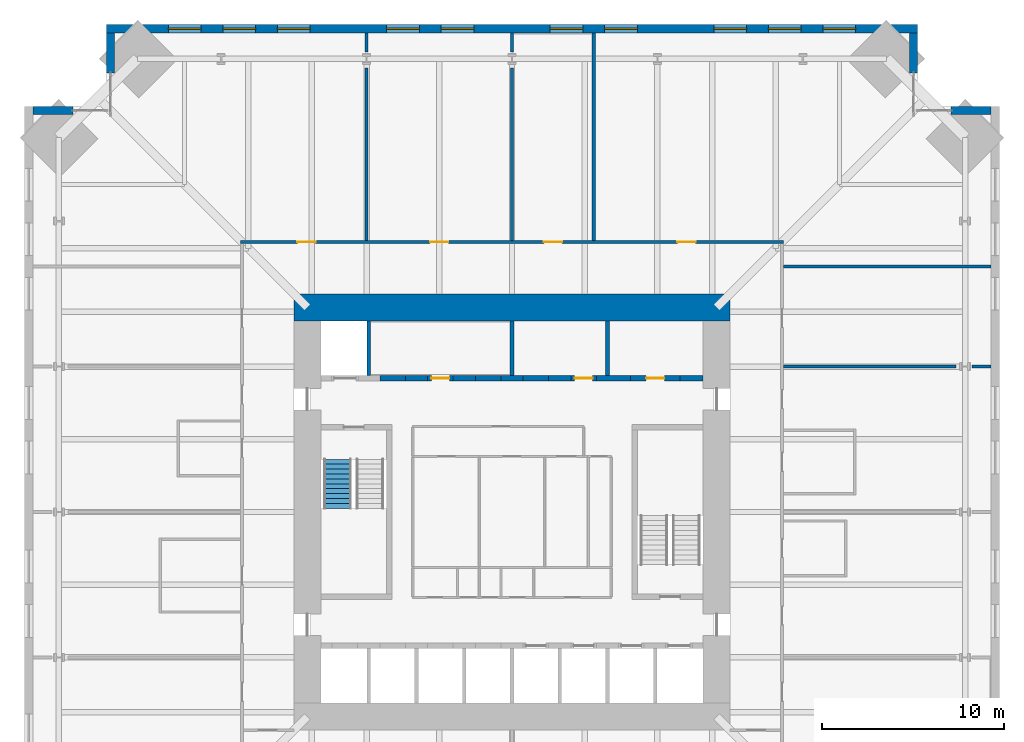
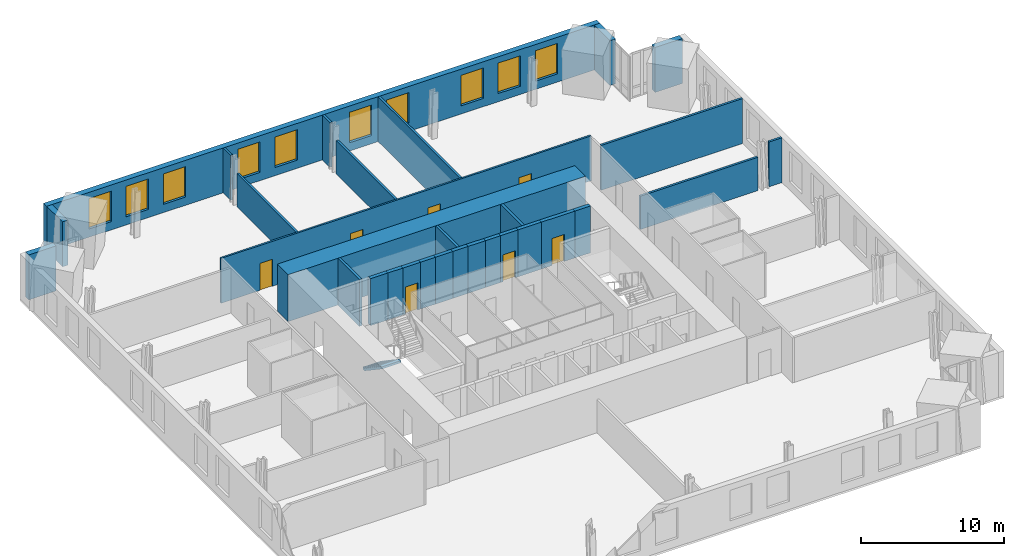
# One storey, part 15 of 17: 30 walls, 10 windows, 7 doors, 1 stair flight, 17 openings, 1 element without a shape of its own.
"""IFC4 building model written with IfcOpenShell, lengths in metres."""

from ifc_helpers import new_model, si_unit, direction, frame, frame_2d, origin, place, context, subcontext, project, spatial, polyline, rectangle, outline, extrude, material, layer, layer_set, type_object, element, fill, aggregate, save


model = new_model("IFC4")

# Units and contexts
model_context = context("Model", 3, precision=1e-05, world=origin(), true_north=direction((0.0, 1.0)))
body_context = subcontext(model_context, "Body", "Model", "MODEL_VIEW")
ifc_project = project(units=[si_unit("LENGTHUNIT", "METRE"), si_unit("AREAUNIT", "SQUARE_METRE"), si_unit("VOLUMEUNIT", "CUBIC_METRE"), si_unit("PLANEANGLEUNIT", "RADIAN"), si_unit("MASSUNIT", "GRAM", prefix="KILO")], contexts=[model_context])

# Site, building, storey
site_placement = place(None, origin())
site = spatial("IfcSite", under=ifc_project, at=site_placement, CompositionType="ELEMENT")
building_placement = place(site_placement, origin())
building = spatial("IfcBuilding", under=site, at=building_placement, Name="Peilmerk Tower", CompositionType="ELEMENT")
storey_placement = place(building_placement, frame((0.0, 0.0, 147.800048828125)))
storey = spatial("IfcBuildingStorey", under=building, at=storey_placement, Name="L30", CompositionType="ELEMENT", Elevation=147.800048828125)

# Wall, openings, windows
ifc_material_1 = material(Name="Precast concrete C45/55, board-marked finish", Category="concrete")
ifc_layer_1 = layer(ifc_material_1, 0.449951171875)
ifc_layer_set_1 = layer_set([ifc_layer_1], Name="Precast concrete C45/55, board-marked finish")
wall_type_1 = type_object("IfcWallType", Name="EW1 450 precast concrete facade wall, board-marked", PredefinedType="SOLIDWALL", material=ifc_layer_set_1)
wall_1_placement = place(storey_placement, frame((22.300048828125, 26.574951171875, 0.0), z_axis=(0.0, 0.0, 1.0), x_axis=(-1.0, 0.0, 0.0)))
wall_1 = element("IfcWall", 1, at=wall_1_placement, inside=storey, type_object=wall_type_1, Name="Facade wall N L30", PredefinedType="SOLIDWALL", context=body_context, shape_type="SweptSolid", body=[
    extrude(rectangle(XDim=44.60009765625, YDim=0.449951171875, at=frame_2d((22.300048828125, 0.0))), origin(), (0.0, 0.0, 1.0), 3.829833984375),
])
opening_1_placement = place(wall_1_placement, frame((3.39990234375, 0.0, 0.699951171875)))
opening_1 = element("IfcOpeningElement", 2, at=opening_1_placement, cuts=wall_1, Name="Opening W1", PredefinedType="OPENING", context=body_context, shape_type="SweptSolid", body=[
    extrude(rectangle(XDim=1.800048828125, YDim=2.60009765625, at=frame_2d((0.89990234375, 1.300048828125))), frame((0.0, 0.23486328125, 0.0), z_axis=(0.0, -1.0, 0.0), x_axis=(1.0, 0.0, 0.0)), (0.0, 0.0, 1.0), 0.469970703125),
])
opening_2_placement = place(wall_1_placement, frame((6.39990234375, 0.0, 0.699951171875)))
opening_2 = element("IfcOpeningElement", 3, at=opening_2_placement, cuts=wall_1, Name="Opening W1", PredefinedType="OPENING", context=body_context, shape_type="SweptSolid", body=[
    extrude(rectangle(XDim=1.800048828125, YDim=2.60009765625, at=frame_2d((0.89990234375, 1.300048828125))), frame((0.0, 0.23486328125, 0.0), z_axis=(0.0, -1.0, 0.0), x_axis=(1.0, 0.0, 0.0)), (0.0, 0.0, 1.0), 0.469970703125),
])
opening_3_placement = place(wall_1_placement, frame((9.39990234375, 0.0, 0.699951171875)))
opening_3 = element("IfcOpeningElement", 4, at=opening_3_placement, cuts=wall_1, Name="Opening W1", PredefinedType="OPENING", context=body_context, shape_type="SweptSolid", body=[
    extrude(rectangle(XDim=1.800048828125, YDim=2.60009765625, at=frame_2d((0.89990234375, 1.300048828125))), frame((0.0, 0.23486328125, 0.0), z_axis=(0.0, -1.0, 0.0), x_axis=(1.0, 0.0, 0.0)), (0.0, 0.0, 1.0), 0.469970703125),
])
opening_4_placement = place(wall_1_placement, frame((15.39990234375, 0.0, 0.699951171875)))
opening_4 = element("IfcOpeningElement", 5, at=opening_4_placement, cuts=wall_1, Name="Opening W1", PredefinedType="OPENING", context=body_context, shape_type="SweptSolid", body=[
    extrude(rectangle(XDim=1.800048828125, YDim=2.60009765625, at=frame_2d((0.89990234375, 1.300048828125))), frame((0.0, 0.23486328125, 0.0), z_axis=(0.0, -1.0, 0.0), x_axis=(1.0, 0.0, 0.0)), (0.0, 0.0, 1.0), 0.469970703125),
])
opening_5_placement = place(wall_1_placement, frame((18.39990234375, 0.0, 0.699951171875)))
opening_5 = element("IfcOpeningElement", 6, at=opening_5_placement, cuts=wall_1, Name="Opening W1", PredefinedType="OPENING", context=body_context, shape_type="SweptSolid", body=[
    extrude(rectangle(XDim=1.800048828125, YDim=2.60009765625, at=frame_2d((0.89990234375, 1.300048828125))), frame((0.0, 0.23486328125, 0.0), z_axis=(0.0, -1.0, 0.0), x_axis=(1.0, 0.0, 0.0)), (0.0, 0.0, 1.0), 0.469970703125),
])
opening_6_placement = place(wall_1_placement, frame((24.39990234375, 0.0, 0.699951171875)))
opening_6 = element("IfcOpeningElement", 7, at=opening_6_placement, cuts=wall_1, Name="Opening W1", PredefinedType="OPENING", context=body_context, shape_type="SweptSolid", body=[
    extrude(rectangle(XDim=1.800048828125, YDim=2.60009765625, at=frame_2d((0.89990234375, 1.300048828125))), frame((0.0, 0.23486328125, 0.0), z_axis=(0.0, -1.0, 0.0), x_axis=(1.0, 0.0, 0.0)), (0.0, 0.0, 1.0), 0.469970703125),
])
opening_7_placement = place(wall_1_placement, frame((27.39990234375, 0.0, 0.699951171875)))
opening_7 = element("IfcOpeningElement", 8, at=opening_7_placement, cuts=wall_1, Name="Opening W1", PredefinedType="OPENING", context=body_context, shape_type="SweptSolid", body=[
    extrude(rectangle(XDim=1.800048828125, YDim=2.60009765625, at=frame_2d((0.89990234375, 1.300048828125))), frame((0.0, 0.23486328125, 0.0), z_axis=(0.0, -1.0, 0.0), x_axis=(1.0, 0.0, 0.0)), (0.0, 0.0, 1.0), 0.469970703125),
])
opening_8_placement = place(wall_1_placement, frame((33.39990234375, 0.0, 0.699951171875)))
opening_8 = element("IfcOpeningElement", 9, at=opening_8_placement, cuts=wall_1, Name="Opening W1", PredefinedType="OPENING", context=body_context, shape_type="SweptSolid", body=[
    extrude(rectangle(XDim=1.800048828125, YDim=2.60009765625, at=frame_2d((0.89990234375, 1.300048828125))), frame((0.0, 0.23486328125, 0.0), z_axis=(0.0, -1.0, 0.0), x_axis=(1.0, 0.0, 0.0)), (0.0, 0.0, 1.0), 0.469970703125),
])
opening_9_placement = place(wall_1_placement, frame((36.39990234375, 0.0, 0.699951171875)))
opening_9 = element("IfcOpeningElement", 10, at=opening_9_placement, cuts=wall_1, Name="Opening W1", PredefinedType="OPENING", context=body_context, shape_type="SweptSolid", body=[
    extrude(rectangle(XDim=1.800048828125, YDim=2.60009765625, at=frame_2d((0.89990234375, 1.300048828125))), frame((0.0, 0.23486328125, 0.0), z_axis=(0.0, -1.0, 0.0), x_axis=(1.0, 0.0, 0.0)), (0.0, 0.0, 1.0), 0.469970703125),
])
opening_10_placement = place(wall_1_placement, frame((39.39990234375, 0.0, 0.699951171875)))
opening_10 = element("IfcOpeningElement", 11, at=opening_10_placement, cuts=wall_1, Name="Opening W1", PredefinedType="OPENING", context=body_context, shape_type="SweptSolid", body=[
    extrude(rectangle(XDim=1.800048828125, YDim=2.60009765625, at=frame_2d((0.89990234375, 1.300048828125))), frame((0.0, 0.23486328125, 0.0), z_axis=(0.0, -1.0, 0.0), x_axis=(1.0, 0.0, 0.0)), (0.0, 0.0, 1.0), 0.469970703125),
])
ifc_material_2 = material(Name="Aluminium frame, clear double glazing", Category="aluminium")
window_type = type_object("IfcWindowType", Name="W1 1800x2600 office window", PartitioningType="SINGLE_PANEL", PredefinedType="WINDOW", material=ifc_material_2)
window_1_placement = place(opening_1_placement, origin())
window_1 = element("IfcWindow", 12, at=window_1_placement, inside=storey, type_object=window_type, Name="Window W1 L30", OverallHeight=2.60009765625, OverallWidth=1.800048828125, PartitioningType="SINGLE_PANEL", PredefinedType="WINDOW", context=body_context, shape_type="SweptSolid", body=[
    extrude(rectangle(XDim=1.800048828125, YDim=2.60009765625, at=frame_2d((0.89990234375, 1.300048828125))), frame((0.0, 0.030029296875, 0.0), z_axis=(0.0, -1.0, 0.0), x_axis=(1.0, 0.0, 0.0)), (0.0, 0.0, 1.0), 0.06005859375),
])
fill(opening_1, window_1)
window_2_placement = place(opening_2_placement, origin())
window_2 = element("IfcWindow", 13, at=window_2_placement, inside=storey, type_object=window_type, Name="Window W1 L30", OverallHeight=2.60009765625, OverallWidth=1.800048828125, PartitioningType="SINGLE_PANEL", PredefinedType="WINDOW", context=body_context, shape_type="SweptSolid", body=[
    extrude(rectangle(XDim=1.800048828125, YDim=2.60009765625, at=frame_2d((0.89990234375, 1.300048828125))), frame((0.0, 0.030029296875, 0.0), z_axis=(0.0, -1.0, 0.0), x_axis=(1.0, 0.0, 0.0)), (0.0, 0.0, 1.0), 0.06005859375),
])
fill(opening_2, window_2)
window_3_placement = place(opening_3_placement, origin())
window_3 = element("IfcWindow", 14, at=window_3_placement, inside=storey, type_object=window_type, Name="Window W1 L30", OverallHeight=2.60009765625, OverallWidth=1.800048828125, PartitioningType="SINGLE_PANEL", PredefinedType="WINDOW", context=body_context, shape_type="SweptSolid", body=[
    extrude(rectangle(XDim=1.800048828125, YDim=2.60009765625, at=frame_2d((0.89990234375, 1.300048828125))), frame((0.0, 0.030029296875, 0.0), z_axis=(0.0, -1.0, 0.0), x_axis=(1.0, 0.0, 0.0)), (0.0, 0.0, 1.0), 0.06005859375),
])
fill(opening_3, window_3)
window_4_placement = place(opening_4_placement, origin())
window_4 = element("IfcWindow", 15, at=window_4_placement, inside=storey, type_object=window_type, Name="Window W1 L30", OverallHeight=2.60009765625, OverallWidth=1.800048828125, PartitioningType="SINGLE_PANEL", PredefinedType="WINDOW", context=body_context, shape_type="SweptSolid", body=[
    extrude(rectangle(XDim=1.800048828125, YDim=2.60009765625, at=frame_2d((0.89990234375, 1.300048828125))), frame((0.0, 0.030029296875, 0.0), z_axis=(0.0, -1.0, 0.0), x_axis=(1.0, 0.0, 0.0)), (0.0, 0.0, 1.0), 0.06005859375),
])
fill(opening_4, window_4)
window_5_placement = place(opening_5_placement, origin())
window_5 = element("IfcWindow", 16, at=window_5_placement, inside=storey, type_object=window_type, Name="Window W1 L30", OverallHeight=2.60009765625, OverallWidth=1.800048828125, PartitioningType="SINGLE_PANEL", PredefinedType="WINDOW", context=body_context, shape_type="SweptSolid", body=[
    extrude(rectangle(XDim=1.800048828125, YDim=2.60009765625, at=frame_2d((0.89990234375, 1.300048828125))), frame((0.0, 0.030029296875, 0.0), z_axis=(0.0, -1.0, 0.0), x_axis=(1.0, 0.0, 0.0)), (0.0, 0.0, 1.0), 0.06005859375),
])
fill(opening_5, window_5)
window_6_placement = place(opening_6_placement, origin())
window_6 = element("IfcWindow", 17, at=window_6_placement, inside=storey, type_object=window_type, Name="Window W1 L30", OverallHeight=2.60009765625, OverallWidth=1.800048828125, PartitioningType="SINGLE_PANEL", PredefinedType="WINDOW", context=body_context, shape_type="SweptSolid", body=[
    extrude(rectangle(XDim=1.800048828125, YDim=2.60009765625, at=frame_2d((0.89990234375, 1.300048828125))), frame((0.0, 0.030029296875, 0.0), z_axis=(0.0, -1.0, 0.0), x_axis=(1.0, 0.0, 0.0)), (0.0, 0.0, 1.0), 0.06005859375),
])
fill(opening_6, window_6)
window_7_placement = place(opening_7_placement, origin())
window_7 = element("IfcWindow", 18, at=window_7_placement, inside=storey, type_object=window_type, Name="Window W1 L30", OverallHeight=2.60009765625, OverallWidth=1.800048828125, PartitioningType="SINGLE_PANEL", PredefinedType="WINDOW", context=body_context, shape_type="SweptSolid", body=[
    extrude(rectangle(XDim=1.800048828125, YDim=2.60009765625, at=frame_2d((0.89990234375, 1.300048828125))), frame((0.0, 0.030029296875, 0.0), z_axis=(0.0, -1.0, 0.0), x_axis=(1.0, 0.0, 0.0)), (0.0, 0.0, 1.0), 0.06005859375),
])
fill(opening_7, window_7)
window_8_placement = place(opening_8_placement, origin())
window_8 = element("IfcWindow", 19, at=window_8_placement, inside=storey, type_object=window_type, Name="Window W1 L30", OverallHeight=2.60009765625, OverallWidth=1.800048828125, PartitioningType="SINGLE_PANEL", PredefinedType="WINDOW", context=body_context, shape_type="SweptSolid", body=[
    extrude(rectangle(XDim=1.800048828125, YDim=2.60009765625, at=frame_2d((0.89990234375, 1.300048828125))), frame((0.0, 0.030029296875, 0.0), z_axis=(0.0, -1.0, 0.0), x_axis=(1.0, 0.0, 0.0)), (0.0, 0.0, 1.0), 0.06005859375),
])
fill(opening_8, window_8)
window_9_placement = place(opening_9_placement, origin())
window_9 = element("IfcWindow", 20, at=window_9_placement, inside=storey, type_object=window_type, Name="Window W1 L30", OverallHeight=2.60009765625, OverallWidth=1.800048828125, PartitioningType="SINGLE_PANEL", PredefinedType="WINDOW", context=body_context, shape_type="SweptSolid", body=[
    extrude(rectangle(XDim=1.800048828125, YDim=2.60009765625, at=frame_2d((0.89990234375, 1.300048828125))), frame((0.0, 0.030029296875, 0.0), z_axis=(0.0, -1.0, 0.0), x_axis=(1.0, 0.0, 0.0)), (0.0, 0.0, 1.0), 0.06005859375),
])
fill(opening_9, window_9)
window_10_placement = place(opening_10_placement, origin())
window_10 = element("IfcWindow", 21, at=window_10_placement, inside=storey, type_object=window_type, Name="Window W1 L30", OverallHeight=2.60009765625, OverallWidth=1.800048828125, PartitioningType="SINGLE_PANEL", PredefinedType="WINDOW", context=body_context, shape_type="SweptSolid", body=[
    extrude(rectangle(XDim=1.800048828125, YDim=2.60009765625, at=frame_2d((0.89990234375, 1.300048828125))), frame((0.0, 0.030029296875, 0.0), z_axis=(0.0, -1.0, 0.0), x_axis=(1.0, 0.0, 0.0)), (0.0, 0.0, 1.0), 0.06005859375),
])
fill(opening_10, window_10)

# Walls
for number, where, z_axis, x_axis, name in (
    (22, (22.074951171875, 24.153564453125, 0.0), (0.0, 0.0, 1.0), (0.0, 1.0, 0.0), "Facade wall NEA L30"),
    (23, (24.153564453125, 22.074951171875, 0.0), (0.0, 0.0, 1.0), (1.0, 0.0, 0.0), "Facade wall NEB L30"),
    (24, (-22.074951171875, 24.153564453125, 0.0), (0.0, 0.0, 1.0), (0.0, 1.0, 0.0), "Facade wall NWA L30"),
    (25, (-24.153564453125, 22.074951171875, 0.0), (0.0, 0.0, 1.0), (-1.0, 0.0, 0.0), "Facade wall NWB L30"),
):
    element("IfcWall", number, at=place(storey_placement, frame(where, z_axis=z_axis, x_axis=x_axis)), inside=storey, type_object=wall_type_1, Name=name, PredefinedType="SOLIDWALL", context=body_context, shape_type="SweptSolid", body=[
        extrude(rectangle(XDim=2.196533203125, YDim=0.449951171875, at=frame_2d((1.09814453125, 0.0))), origin(), (0.0, 0.0, 1.0), 3.829833984375),
    ])

# Wall, openings, doors
ifc_material_3 = material(Name="Calcium silicate block", Category="masonry")
ifc_layer_2 = layer(ifc_material_3, 0.14990234375)
ifc_layer_set_2 = layer_set([ifc_layer_2], Name="Calcium silicate block")
wall_type_2 = type_object("IfcWallType", Name="IW1 150 corridor partition, EI 60", PredefinedType="PARTITIONING", material=ifc_layer_set_2)
wall_2_placement = place(storey_placement, frame((-14.925048828125, 14.85009765625, 0.0), z_axis=(0.0, 0.0, 1.0), x_axis=(1.0, 0.0, 0.0)))
wall_2 = element("IfcWall", 26, at=wall_2_placement, inside=storey, type_object=wall_type_2, Name="Corridor wall N L30", PredefinedType="PARTITIONING", context=body_context, shape_type="SweptSolid", body=[
    extrude(rectangle(XDim=29.85009765625, YDim=0.14990234375, at=frame_2d((14.925048828125, 0.0))), origin(), (0.0, 0.0, 1.0), 3.829833984375),
])
opening_11_placement = place(wall_2_placement, frame((3.125, 0.0, 0.0)))
opening_11 = element("IfcOpeningElement", 27, at=opening_11_placement, cuts=wall_2, Name="Opening D1", PredefinedType="OPENING", context=body_context, shape_type="SweptSolid", body=[
    extrude(rectangle(XDim=1.0, YDim=2.300048828125, at=frame_2d((0.5, 1.14990234375))), frame((0.0, 0.0849609375, 0.0), z_axis=(0.0, -1.0, 0.0), x_axis=(1.0, 0.0, 0.0)), (0.0, 0.0, 1.0), 0.169921875),
])
opening_12_placement = place(wall_2_placement, frame((10.425048828125, 0.0, 0.0)))
opening_12 = element("IfcOpeningElement", 28, at=opening_12_placement, cuts=wall_2, Name="Opening D1", PredefinedType="OPENING", context=body_context, shape_type="SweptSolid", body=[
    extrude(rectangle(XDim=1.0, YDim=2.300048828125, at=frame_2d((0.5, 1.14990234375))), frame((0.0, 0.0849609375, 0.0), z_axis=(0.0, -1.0, 0.0), x_axis=(1.0, 0.0, 0.0)), (0.0, 0.0, 1.0), 0.169921875),
])
opening_13_placement = place(wall_2_placement, frame((16.675048828125, 0.0, 0.0)))
opening_13 = element("IfcOpeningElement", 29, at=opening_13_placement, cuts=wall_2, Name="Opening D1", PredefinedType="OPENING", context=body_context, shape_type="SweptSolid", body=[
    extrude(rectangle(XDim=1.0, YDim=2.300048828125, at=frame_2d((0.5, 1.14990234375))), frame((0.0, 0.0849609375, 0.0), z_axis=(0.0, -1.0, 0.0), x_axis=(1.0, 0.0, 0.0)), (0.0, 0.0, 1.0), 0.169921875),
])
opening_14_placement = place(wall_2_placement, frame((24.02490234375, 0.0, 0.0)))
opening_14 = element("IfcOpeningElement", 30, at=opening_14_placement, cuts=wall_2, Name="Opening D1", PredefinedType="OPENING", context=body_context, shape_type="SweptSolid", body=[
    extrude(rectangle(XDim=1.0, YDim=2.300048828125, at=frame_2d((0.5, 1.14990234375))), frame((0.0, 0.0849609375, 0.0), z_axis=(0.0, -1.0, 0.0), x_axis=(1.0, 0.0, 0.0)), (0.0, 0.0, 1.0), 0.169921875),
])
ifc_material_4 = material(Name="Timber door in steel frame", Category="steel")
door_type_1 = type_object("IfcDoorType", Name="D1 1000x2300 room door, EI2 30", OperationType="SINGLE_SWING_LEFT", PredefinedType="DOOR", material=ifc_material_4)
door_1_placement = place(opening_11_placement, origin())
door_1 = element("IfcDoor", 31, at=door_1_placement, inside=storey, type_object=door_type_1, Name="Door Team workspace L30", OperationType="SINGLE_SWING_LEFT", OverallHeight=2.300048828125, OverallWidth=1.0, PredefinedType="DOOR", context=body_context, shape_type="SweptSolid", body=[
    extrude(rectangle(XDim=1.0, YDim=2.300048828125, at=frame_2d((0.5, 1.14990234375))), frame((0.0, 0.02490234375, 0.0), z_axis=(0.0, -1.0, 0.0), x_axis=(1.0, 0.0, 0.0)), (0.0, 0.0, 1.0), 0.050048828125),
])
fill(opening_11, door_1)
door_2_placement = place(opening_12_placement, origin())
door_2 = element("IfcDoor", 32, at=door_2_placement, inside=storey, type_object=door_type_1, Name="Door Team workspace L30", OperationType="SINGLE_SWING_LEFT", OverallHeight=2.300048828125, OverallWidth=1.0, PredefinedType="DOOR", context=body_context, shape_type="SweptSolid", body=[
    extrude(rectangle(XDim=1.0, YDim=2.300048828125, at=frame_2d((0.5, 1.14990234375))), frame((0.0, 0.02490234375, 0.0), z_axis=(0.0, -1.0, 0.0), x_axis=(1.0, 0.0, 0.0)), (0.0, 0.0, 1.0), 0.050048828125),
])
fill(opening_12, door_2)
door_3_placement = place(opening_13_placement, origin())
door_3 = element("IfcDoor", 33, at=door_3_placement, inside=storey, type_object=door_type_1, Name="Door Project room L30", OperationType="SINGLE_SWING_LEFT", OverallHeight=2.300048828125, OverallWidth=1.0, PredefinedType="DOOR", context=body_context, shape_type="SweptSolid", body=[
    extrude(rectangle(XDim=1.0, YDim=2.300048828125, at=frame_2d((0.5, 1.14990234375))), frame((0.0, 0.02490234375, 0.0), z_axis=(0.0, -1.0, 0.0), x_axis=(1.0, 0.0, 0.0)), (0.0, 0.0, 1.0), 0.050048828125),
])
fill(opening_13, door_3)
door_4_placement = place(opening_14_placement, origin())
door_4 = element("IfcDoor", 34, at=door_4_placement, inside=storey, type_object=door_type_1, Name="Door Team workspace L30", OperationType="SINGLE_SWING_LEFT", OverallHeight=2.300048828125, OverallWidth=1.0, PredefinedType="DOOR", context=body_context, shape_type="SweptSolid", body=[
    extrude(rectangle(XDim=1.0, YDim=2.300048828125, at=frame_2d((0.5, 1.14990234375))), frame((0.0, 0.02490234375, 0.0), z_axis=(0.0, -1.0, 0.0), x_axis=(1.0, 0.0, 0.0)), (0.0, 0.0, 1.0), 0.050048828125),
])
fill(opening_14, door_4)

# Walls
ifc_layer_3 = layer(ifc_material_3, 0.175048828125)
ifc_layer_set_3 = layer_set([ifc_layer_3], Name="Calcium silicate block")
wall_type_3 = type_object("IfcWallType", Name="IW8 175 tenant separating wall, EI 60", PredefinedType="PARTITIONING", material=ifc_layer_set_3)
wall_3_placement = place(storey_placement, frame((14.925048828125, 13.5, 0.0), z_axis=(0.0, 0.0, 1.0), x_axis=(1.0, 0.0, 0.0)))
element("IfcWall", 35, at=wall_3_placement, inside=storey, type_object=wall_type_3, Name="Tenant separating wall NE L30", PredefinedType="PARTITIONING", context=body_context, shape_type="SweptSolid", body=[
    extrude(rectangle(XDim=11.425048828125, YDim=0.175048828125, at=frame_2d((5.71240234375, 0.0))), origin(), (0.0, 0.0, 1.0), 3.829833984375),
])
wall_4_placement = place(storey_placement, frame((-8.0, 14.925048828125, 0.0), z_axis=(0.0, 0.0, 1.0), x_axis=(0.0, 1.0, 0.0)))
element("IfcWall", 36, at=wall_4_placement, inside=storey, type_object=wall_type_3, Name="Tenant separating wall N1 L30", PredefinedType="PARTITIONING", context=body_context, shape_type="SweptSolid", body=[
    extrude(rectangle(XDim=9.48681640625, YDim=0.175048828125, at=frame_2d((4.743408203125, 0.0))), origin(), (0.0, 0.0, 1.0), 2.83984375),
])
wall_5_placement = place(storey_placement, frame((-8.0, 25.301025390625, 0.0), z_axis=(0.0, 0.0, 1.0), x_axis=(0.0, 1.0, 0.0)))
element("IfcWall", 37, at=wall_5_placement, inside=storey, type_object=wall_type_3, Name="Tenant separating wall N1b L30", PredefinedType="PARTITIONING", context=body_context, shape_type="SweptSolid", body=[
    extrude(rectangle(XDim=1.049072265625, YDim=0.175048828125, at=frame_2d((0.5244140625, 0.0))), origin(), (0.0, 0.0, 1.0), 3.829833984375),
])
wall_6_placement = place(storey_placement, frame((0.0, 14.925048828125, 0.0), z_axis=(0.0, 0.0, 1.0), x_axis=(0.0, 1.0, 0.0)))
element("IfcWall", 38, at=wall_6_placement, inside=storey, type_object=wall_type_3, Name="Tenant separating wall N2 L30", PredefinedType="PARTITIONING", context=body_context, shape_type="SweptSolid", body=[
    extrude(rectangle(XDim=9.48681640625, YDim=0.175048828125, at=frame_2d((4.743408203125, 0.0))), origin(), (0.0, 0.0, 1.0), 2.83984375),
])
wall_7_placement = place(storey_placement, frame((0.0, 25.301025390625, 0.0), z_axis=(0.0, 0.0, 1.0), x_axis=(0.0, 1.0, 0.0)))
element("IfcWall", 39, at=wall_7_placement, inside=storey, type_object=wall_type_3, Name="Tenant separating wall N2b L30", PredefinedType="PARTITIONING", context=body_context, shape_type="SweptSolid", body=[
    extrude(rectangle(XDim=1.049072265625, YDim=0.175048828125, at=frame_2d((0.5244140625, 0.0))), origin(), (0.0, 0.0, 1.0), 3.829833984375),
])
wall_8_placement = place(storey_placement, frame((4.5, 14.925048828125, 0.0), z_axis=(0.0, 0.0, 1.0), x_axis=(0.0, 1.0, 0.0)))
element("IfcWall", 40, at=wall_8_placement, inside=storey, type_object=wall_type_3, Name="Tenant separating wall N3 L30", PredefinedType="PARTITIONING", context=body_context, shape_type="SweptSolid", body=[
    extrude(rectangle(XDim=11.425048828125, YDim=0.175048828125, at=frame_2d((5.71240234375, 0.0))), origin(), (0.0, 0.0, 1.0), 3.829833984375),
])
wall_9_placement = place(storey_placement, frame((14.925048828125, 8.0, 0.0), z_axis=(0.0, 0.0, 1.0), x_axis=(1.0, 0.0, 0.0)))
element("IfcWall", 41, at=wall_9_placement, inside=storey, type_object=wall_type_3, Name="Tenant separating wall E3 L30", PredefinedType="PARTITIONING", context=body_context, shape_type="SweptSolid", body=[
    extrude(rectangle(XDim=9.48681640625, YDim=0.175048828125, at=frame_2d((4.743408203125, 0.0))), origin(), (0.0, 0.0, 1.0), 2.83984375),
])
wall_10_placement = place(storey_placement, frame((25.301025390625, 8.0, 0.0), z_axis=(0.0, 0.0, 1.0), x_axis=(1.0, 0.0, 0.0)))
element("IfcWall", 42, at=wall_10_placement, inside=storey, type_object=wall_type_3, Name="Tenant separating wall E3b L30", PredefinedType="PARTITIONING", context=body_context, shape_type="SweptSolid", body=[
    extrude(rectangle(XDim=1.049072265625, YDim=0.175048828125, at=frame_2d((0.5244140625, 0.0))), origin(), (0.0, 0.0, 1.0), 3.829833984375),
])
ifc_layer_4 = layer(ifc_material_3, 0.199951171875)
ifc_layer_set_4 = layer_set([ifc_layer_4], Name="Calcium silicate block")
wall_type_4 = type_object("IfcWallType", Name="SH1 200 shaft dividing wall, EI 120", PredefinedType="PARTITIONING", material=ifc_layer_set_4)
for number, where, z_axis, x_axis, name in (
    (43, (-7.875, 7.5, 0.0), (0.0, 0.0, 1.0), (0.0, 1.0, 0.0), "Shaft wall N FL1 L30"),
    (44, (0.0, 7.5, 0.0), (0.0, 0.0, 1.0), (0.0, 1.0, 0.0), "Shaft wall N A3 L30"),
    (45, (5.25, 7.5, 0.0), (0.0, 0.0, 1.0), (0.0, 1.0, 0.0), "Shaft wall N S2 L30"),
):
    element("IfcWall", number, at=place(storey_placement, frame(where, z_axis=z_axis, x_axis=x_axis)), inside=storey, type_object=wall_type_4, Name=name, PredefinedType="PARTITIONING", context=body_context, shape_type="SweptSolid", body=[
        extrude(rectangle(XDim=3.0, YDim=0.199951171875, at=frame_2d((1.5, 0.0))), origin(), (0.0, 0.0, 1.0), 4.0),
    ])
ifc_layer_5 = layer(ifc_material_3, 0.300048828125)
ifc_layer_set_5 = layer_set([ifc_layer_5], Name="Calcium silicate block")
wall_type_5 = type_object("IfcWallType", Name="SH2 300 lift landing door panel, EI 120", PredefinedType="PARTITIONING", material=ifc_layer_set_5)
wall_11_placement = place(storey_placement, frame((-7.262451171875, 7.35009765625, 0.0), z_axis=(0.0, 0.0, 1.0), x_axis=(1.0, 0.0, 0.0)))
element("IfcWall", 46, at=wall_11_placement, inside=storey, type_object=wall_type_5, Name="Lift door panel N A1 L30", PredefinedType="PARTITIONING", context=body_context, shape_type="SweptSolid", body=[
    extrude(rectangle(XDim=1.39990234375, YDim=0.300048828125, at=frame_2d((0.699951171875, 0.0))), origin(), (0.0, 0.0, 1.0), 4.0),
])

# Wall, opening, door
wall_12_placement = place(storey_placement, frame((-4.637451171875, 7.35009765625, 0.0), z_axis=(0.0, 0.0, 1.0), x_axis=(1.0, 0.0, 0.0)))
wall_12 = element("IfcWall", 47, at=wall_12_placement, inside=storey, type_object=wall_type_5, Name="Lift door panel N A2 L30", PredefinedType="PARTITIONING", context=body_context, shape_type="SweptSolid", body=[
    extrude(rectangle(XDim=1.39990234375, YDim=0.300048828125, at=frame_2d((0.699951171875, 0.0))), origin(), (0.0, 0.0, 1.0), 4.0),
])
opening_15_placement = place(wall_12_placement, frame((0.199951171875, 0.0, 0.0)))
opening_15 = element("IfcOpeningElement", 48, at=opening_15_placement, cuts=wall_12, Name="Opening D10", PredefinedType="OPENING", context=body_context, shape_type="SweptSolid", body=[
    extrude(rectangle(XDim=1.0, YDim=2.300048828125, at=frame_2d((0.5, 1.14990234375))), frame((0.0, 0.159912109375, 0.0), z_axis=(0.0, -1.0, 0.0), x_axis=(1.0, 0.0, 0.0)), (0.0, 0.0, 1.0), 0.320068359375),
])
ifc_material_5 = material(Name="Steel door in steel frame", Category="steel")
door_type_2 = type_object("IfcDoorType", Name="D10 1000x2300 core room door, EI2 60", OperationType="SINGLE_SWING_RIGHT", PredefinedType="DOOR", material=ifc_material_5)
door_5_placement = place(opening_15_placement, origin())
door_5 = element("IfcDoor", 49, at=door_5_placement, inside=storey, type_object=door_type_2, Name="Door Back-of-house office L30", OperationType="SINGLE_SWING_RIGHT", OverallHeight=2.300048828125, OverallWidth=1.0, PredefinedType="DOOR", context=body_context, shape_type="SweptSolid", body=[
    extrude(rectangle(XDim=1.0, YDim=2.300048828125, at=frame_2d((0.5, 1.14990234375))), frame((0.0, 0.02490234375, 0.0), z_axis=(0.0, -1.0, 0.0), x_axis=(1.0, 0.0, 0.0)), (0.0, 0.0, 1.0), 0.050048828125),
])
fill(opening_15, door_5)

# Walls
for number, where, z_axis, x_axis, name in (
    (50, (-2.012451171875, 7.35009765625, 0.0), (0.0, 0.0, 1.0), (1.0, 0.0, 0.0), "Lift door panel N A3 L30"),
    (51, (0.612548828125, 7.35009765625, 0.0), (0.0, 0.0, 1.0), (1.0, 0.0, 0.0), "Lift door panel N S1 L30"),
):
    element("IfcWall", number, at=place(storey_placement, frame(where, z_axis=z_axis, x_axis=x_axis)), inside=storey, type_object=wall_type_5, Name=name, PredefinedType="PARTITIONING", context=body_context, shape_type="SweptSolid", body=[
        extrude(rectangle(XDim=1.39990234375, YDim=0.300048828125, at=frame_2d((0.699951171875, 0.0))), origin(), (0.0, 0.0, 1.0), 4.0),
    ])

# Wall, opening, door
wall_13_placement = place(storey_placement, frame((3.237548828125, 7.35009765625, 0.0), z_axis=(0.0, 0.0, 1.0), x_axis=(1.0, 0.0, 0.0)))
wall_13 = element("IfcWall", 52, at=wall_13_placement, inside=storey, type_object=wall_type_5, Name="Lift door panel N S2 L30", PredefinedType="PARTITIONING", context=body_context, shape_type="SweptSolid", body=[
    extrude(rectangle(XDim=1.39990234375, YDim=0.300048828125, at=frame_2d((0.699951171875, 0.0))), origin(), (0.0, 0.0, 1.0), 4.0),
])
opening_16_placement = place(wall_13_placement, frame((0.199951171875, 0.0, 0.0)))
opening_16 = element("IfcOpeningElement", 53, at=opening_16_placement, cuts=wall_13, Name="Opening D10", PredefinedType="OPENING", context=body_context, shape_type="SweptSolid", body=[
    extrude(rectangle(XDim=1.0, YDim=2.300048828125, at=frame_2d((0.5, 1.14990234375))), frame((0.0, 0.159912109375, 0.0), z_axis=(0.0, -1.0, 0.0), x_axis=(1.0, 0.0, 0.0)), (0.0, 0.0, 1.0), 0.320068359375),
])
door_6_placement = place(opening_16_placement, origin())
door_6 = element("IfcDoor", 54, at=door_6_placement, inside=storey, type_object=door_type_2, Name="Door Plant room L30", OperationType="SINGLE_SWING_RIGHT", OverallHeight=2.300048828125, OverallWidth=1.0, PredefinedType="DOOR", context=body_context, shape_type="SweptSolid", body=[
    extrude(rectangle(XDim=1.0, YDim=2.300048828125, at=frame_2d((0.5, 1.14990234375))), frame((0.0, 0.02490234375, 0.0), z_axis=(0.0, -1.0, 0.0), x_axis=(1.0, 0.0, 0.0)), (0.0, 0.0, 1.0), 0.050048828125),
])
fill(opening_16, door_6)

wall_14_placement = place(storey_placement, frame((6.52490234375, 7.35009765625, 0.0), z_axis=(0.0, 0.0, 1.0), x_axis=(1.0, 0.0, 0.0)))
wall_14 = element("IfcWall", 55, at=wall_14_placement, inside=storey, type_object=wall_type_5, Name="Lift door panel N GL1 L30", PredefinedType="PARTITIONING", context=body_context, shape_type="SweptSolid", body=[
    extrude(rectangle(XDim=2.7001953125, YDim=0.300048828125, at=frame_2d((1.35009765625, 0.0))), origin(), (0.0, 0.0, 1.0), 4.0),
])
opening_17_placement = place(wall_14_placement, frame((0.85009765625, 0.0, 0.0)))
opening_17 = element("IfcOpeningElement", 56, at=opening_17_placement, cuts=wall_14, Name="Opening D10", PredefinedType="OPENING", context=body_context, shape_type="SweptSolid", body=[
    extrude(rectangle(XDim=1.0, YDim=2.300048828125, at=frame_2d((0.5, 1.14990234375))), frame((0.0, 0.159912109375, 0.0), z_axis=(0.0, -1.0, 0.0), x_axis=(1.0, 0.0, 0.0)), (0.0, 0.0, 1.0), 0.320068359375),
])
door_7_placement = place(opening_17_placement, origin())
door_7 = element("IfcDoor", 57, at=door_7_placement, inside=storey, type_object=door_type_2, Name="Door Water meter room L30", OperationType="SINGLE_SWING_RIGHT", OverallHeight=2.300048828125, OverallWidth=1.0, PredefinedType="DOOR", context=body_context, shape_type="SweptSolid", body=[
    extrude(rectangle(XDim=1.0, YDim=2.300048828125, at=frame_2d((0.5, 1.14990234375))), frame((0.0, 0.02490234375, 0.0), z_axis=(0.0, -1.0, 0.0), x_axis=(1.0, 0.0, 0.0)), (0.0, 0.0, 1.0), 0.050048828125),
])
fill(opening_17, door_7)

# Walls
ifc_material_6 = material(Name="Concrete C55/67", Category="concrete")
ifc_layer_6 = layer(ifc_material_6, 1.5)
ifc_layer_set_6 = layer_set([ifc_layer_6], Name="Concrete C55/67")
wall_type_6 = type_object("IfcWallType", Name="SW1 1500 core wall", PredefinedType="SHEAR", material=ifc_layer_set_6)
wall_15_placement = place(storey_placement, frame((-12.0, 11.25, 0.0), z_axis=(0.0, 0.0, 1.0), x_axis=(1.0, 0.0, 0.0)))
element("IfcWall", 58, at=wall_15_placement, inside=storey, type_object=wall_type_6, Name="Core wall N L30", PredefinedType="SHEAR", context=body_context, shape_type="SweptSolid", body=[
    extrude(rectangle(XDim=24.0, YDim=1.5, at=frame_2d((12.0, 0.0))), origin(), (0.0, 0.0, 1.0), 4.0),
])
ifc_layer_7 = layer(ifc_material_6, 0.300048828125)
ifc_layer_set_7 = layer_set([ifc_layer_7], Name="Concrete C55/67")
wall_type_7 = type_object("IfcWallType", Name="SW2 300 lift bank pier", PredefinedType="SHEAR", material=ifc_layer_set_7)
for number, where, z_axis, x_axis, name in (
    (59, (-5.862548828125, 7.35009765625, 0.0), (0.0, 0.0, 1.0), (1.0, 0.0, 0.0), "Lift bank pier N L30"),
    (60, (-3.237548828125, 7.35009765625, 0.0), (0.0, 0.0, 1.0), (1.0, 0.0, 0.0), "Lift bank pier N L30"),
    (61, (-0.612548828125, 7.35009765625, 0.0), (0.0, 0.0, 1.0), (1.0, 0.0, 0.0), "Lift bank pier N L30"),
    (62, (2.012451171875, 7.35009765625, 0.0), (0.0, 0.0, 1.0), (1.0, 0.0, 0.0), "Lift bank pier N L30"),
):
    element("IfcWall", number, at=place(storey_placement, frame(where, z_axis=z_axis, x_axis=x_axis)), inside=storey, type_object=wall_type_7, Name=name, PredefinedType="SHEAR", context=body_context, shape_type="SweptSolid", body=[
        extrude(rectangle(XDim=1.22509765625, YDim=0.300048828125, at=frame_2d((0.612548828125, 0.0))), origin(), (0.0, 0.0, 1.0), 4.0),
    ])
wall_16_placement = place(storey_placement, frame((4.637451171875, 7.35009765625, 0.0), z_axis=(0.0, 0.0, 1.0), x_axis=(1.0, 0.0, 0.0)))
element("IfcWall", 63, at=wall_16_placement, inside=storey, type_object=wall_type_7, Name="Lift bank pier N L30", PredefinedType="SHEAR", context=body_context, shape_type="SweptSolid", body=[
    extrude(rectangle(XDim=1.887451171875, YDim=0.300048828125, at=frame_2d((0.94384765625, 0.0))), origin(), (0.0, 0.0, 1.0), 4.0),
])
wall_17_placement = place(storey_placement, frame((9.22509765625, 7.35009765625, 0.0), z_axis=(0.0, 0.0, 1.0), x_axis=(1.0, 0.0, 0.0)))
element("IfcWall", 64, at=wall_17_placement, inside=storey, type_object=wall_type_7, Name="Lift bank pier N L30", PredefinedType="SHEAR", context=body_context, shape_type="SweptSolid", body=[
    extrude(rectangle(XDim=1.27490234375, YDim=0.300048828125, at=frame_2d((0.637451171875, 0.0))), origin(), (0.0, 0.0, 1.0), 4.0),
])

# Stair, stair flight
ifc_material_7 = material(Name="Precast concrete C45/55", Category="concrete")
stair_type = type_object("IfcStairType", Name="ST1 22 risers of 181.8", PredefinedType="HALF_TURN_STAIR", material=ifc_material_7)
stair_placement = place(storey_placement, origin())
stair = element("IfcStair", 65, at=stair_placement, inside=storey, type_object=stair_type, Name="Stair 1 L30 to L31", PredefinedType="HALF_TURN_STAIR")
stair_flight_type = type_object("IfcStairFlightType", Name="SF11 flight, 11 risers of 181.8", PredefinedType="STRAIGHT", material=ifc_material_7)
stair_flight_placement = place(storey_placement, frame((-9.60009765625, 2.89990234375, 0.0), z_axis=(0.0, 0.0, 1.0), x_axis=(0.0, -1.0, 0.0)))
stair_flight = element("IfcStairFlight", 66, at=stair_flight_placement, type_object=stair_flight_type, Name="ST1 flight 1", NumberOfRisers=11, NumberOfTreads=10, PredefinedType="STRAIGHT", RiserHeight=0.181818182, TreadLength=0.27, context=body_context, shape_type="SweptSolid", body=[
    extrude(outline(polyline([(0.0, 0.0), (0.0, 0.181884765625), (0.27001953125, 0.181884765625), (0.27001953125, 0.363525390625), (0.5400390625, 0.363525390625), (0.5400390625, 0.54541015625), (0.81005859375, 0.54541015625), (0.81005859375, 0.727294921875), (1.080078125, 0.727294921875), (1.080078125, 0.9091796875), (1.35009765625, 0.9091796875), (1.35009765625, 1.0908203125), (1.6201171875, 1.0908203125), (1.6201171875, 1.272705078125), (1.889892578125, 1.272705078125), (1.889892578125, 1.45458984375), (2.159912109375, 1.45458984375), (2.159912109375, 1.636474609375), (2.429931640625, 1.636474609375), (2.429931640625, 1.818115234375), (2.699951171875, 1.818115234375), (2.699951171875, 2.0), (2.699951171875, 1.637451171875), (0.268310546875, 0.0), (0.0, 0.0)])), frame((0.0, 0.75, 0.0), z_axis=(0.0, -1.0, 0.0), x_axis=(1.0, 0.0, 0.0)), (0.0, 0.0, 1.0), 1.5),
])
aggregate(stair, [stair_flight])

save(model, "model.ifc")
